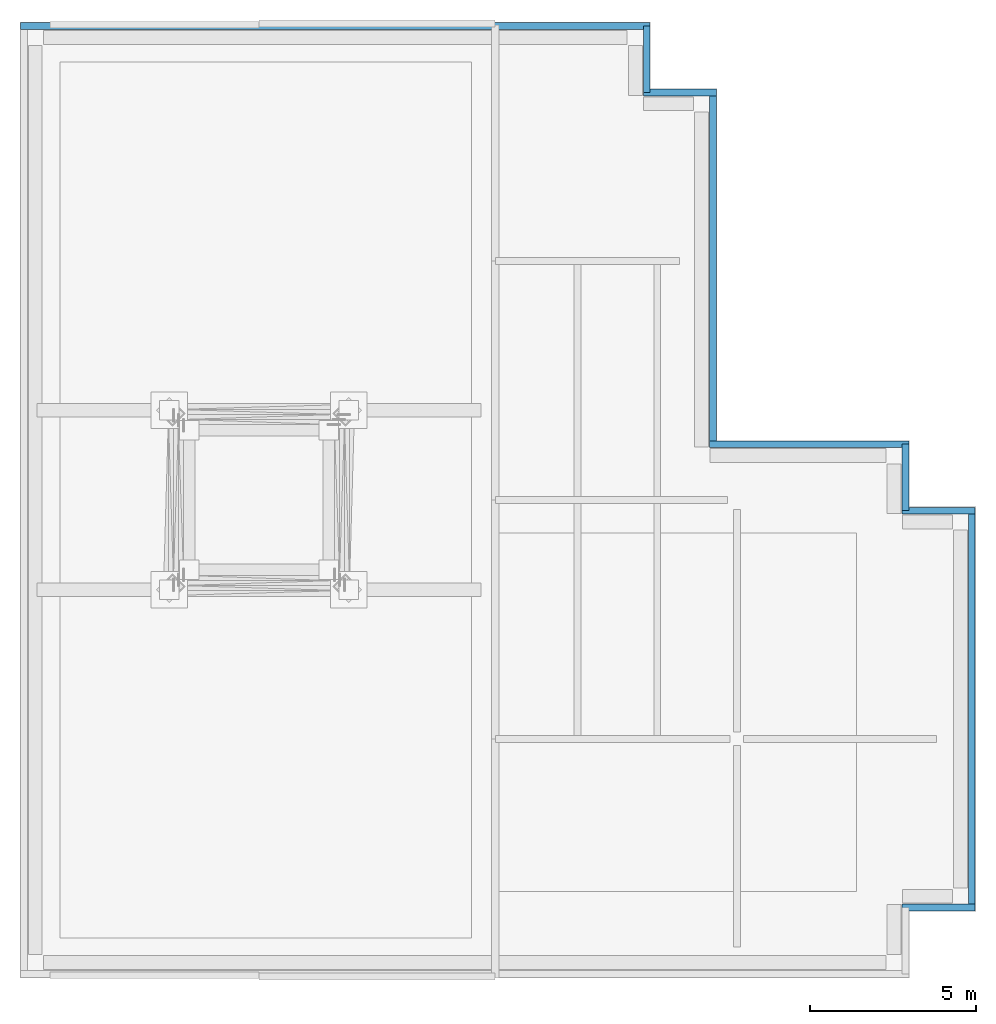
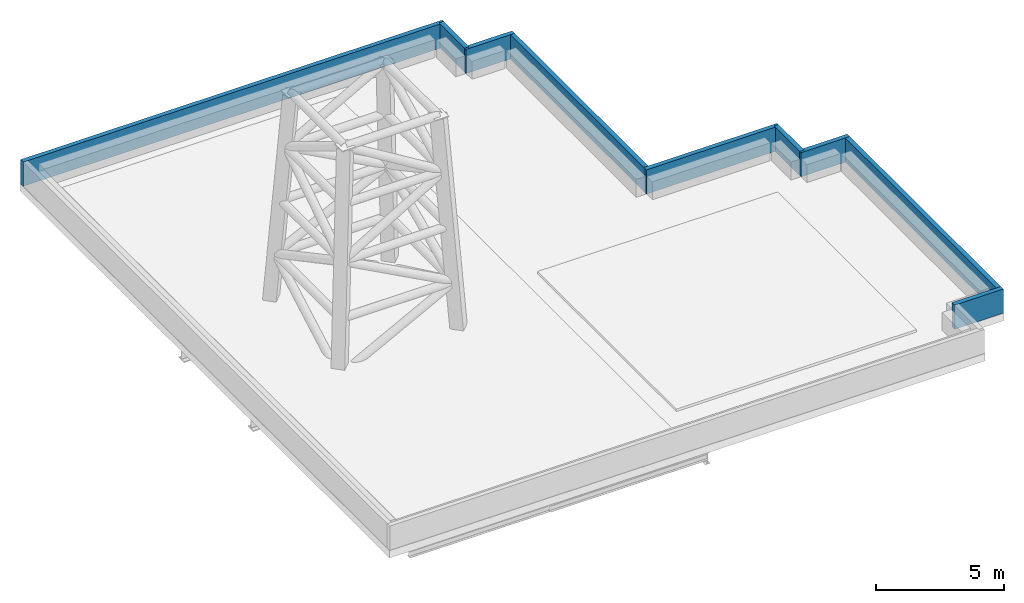
# One storey, part 2 of 3: 9 walls.
"""IFC4 building model written with IfcOpenShell, lengths in metres."""

from ifc_helpers import new_model, si_unit, direction, frame, frame_2d, origin, place, context, subcontext, project, spatial, rectangle, extrude, material, layer, layer_set, type_object, element, save


model = new_model("IFC4")

# Units and contexts
model_context = context("Model", 3, precision=1e-05, world=origin(), true_north=direction((0.0, 1.0)))
body_context = subcontext(model_context, "Body", "Model", "MODEL_VIEW")
ifc_project = project(units=[si_unit("LENGTHUNIT", "METRE"), si_unit("AREAUNIT", "SQUARE_METRE"), si_unit("VOLUMEUNIT", "CUBIC_METRE"), si_unit("PLANEANGLEUNIT", "RADIAN"), si_unit("MASSUNIT", "GRAM", prefix="KILO")], contexts=[model_context])

# Site, building, storey
site_placement = place(None, origin())
site = spatial("IfcSite", under=ifc_project, at=site_placement, CompositionType="ELEMENT")
building_placement = place(site_placement, origin())
building = spatial("IfcBuilding", under=site, at=building_placement, Name="Cobrela Telecom Tower", CompositionType="ELEMENT")
storey_placement = place(building_placement, frame((0.0, 0.0, 305.199951171875)))
storey = spatial("IfcBuildingStorey", under=building, at=storey_placement, Name="RF", CompositionType="ELEMENT", Elevation=305.199951171875)

# Walls
ifc_material = material(Name="Concrete C40/50", Category="concrete")
ifc_layer = layer(ifc_material, 0.199951171875)
ifc_layer_set = layer_set([ifc_layer], Name="Concrete C40/50")
wall_type = type_object("IfcWallType", Name="WALL-PAR-200", PredefinedType="PARAPET", material=ifc_layer_set)
wall_1_placement = place(storey_placement, frame((0.02001953125, 35.8798828125, 0.0), z_axis=(0.0, 0.0, 1.0), x_axis=(1.0, 0.0, 0.0)))
element("IfcWall", 1, at=wall_1_placement, inside=storey, type_object=wall_type, Name="RF Crown Drum Roof Parapet Wall 02", PredefinedType="PARAPET", context=body_context, shape_type="SweptSolid", body=[
    extrude(rectangle(XDim=18.9599609375, YDim=0.199951171875, at=frame_2d((9.47998046875, 0.0))), origin(), (0.0, 0.0, 1.0), 1.150146484375),
])
wall_2_placement = place(storey_placement, frame((18.8798828125, 35.8798828125, 0.0), z_axis=(0.0, 0.0, 1.0), x_axis=(0.0, -1.0, 0.0)))
element("IfcWall", 2, at=wall_2_placement, inside=storey, type_object=wall_type, Name="RF Crown Drum Roof Parapet Wall 03", PredefinedType="PARAPET", context=body_context, shape_type="SweptSolid", body=[
    extrude(rectangle(XDim=2.0, YDim=0.199951171875, at=frame_2d((1.0, 0.0))), origin(), (0.0, 0.0, 1.0), 1.150146484375),
])
wall_3_placement = place(storey_placement, frame((18.780029296875, 33.8798828125, 0.0), z_axis=(0.0, 0.0, 1.0), x_axis=(1.0, 0.0, 0.0)))
element("IfcWall", 3, at=wall_3_placement, inside=storey, type_object=wall_type, Name="RF Crown Drum Roof Parapet Wall 04", PredefinedType="PARAPET", context=body_context, shape_type="SweptSolid", body=[
    extrude(rectangle(XDim=2.199951171875, YDim=0.199951171875, at=frame_2d((1.10009765625, 0.0))), origin(), (0.0, 0.0, 1.0), 1.150146484375),
])
wall_4_placement = place(storey_placement, frame((20.8798828125, 33.8798828125, 0.0), z_axis=(0.0, 0.0, 1.0), x_axis=(0.0, -1.0, 0.0)))
element("IfcWall", 4, at=wall_4_placement, inside=storey, type_object=wall_type, Name="RF Crown Drum Roof Parapet Wall 05", PredefinedType="PARAPET", context=body_context, shape_type="SweptSolid", body=[
    extrude(rectangle(XDim=10.599853515625, YDim=0.199951171875, at=frame_2d((5.2998046875, 0.0))), origin(), (0.0, 0.0, 1.0), 1.150146484375),
])
wall_5_placement = place(storey_placement, frame((20.780029296875, 23.280029296875, 0.0), z_axis=(0.0, 0.0, 1.0), x_axis=(1.0, 0.0, 0.0)))
element("IfcWall", 5, at=wall_5_placement, inside=storey, type_object=wall_type, Name="RF Crown Drum Roof Parapet Wall 06", PredefinedType="PARAPET", context=body_context, shape_type="SweptSolid", body=[
    extrude(rectangle(XDim=6.0, YDim=0.199951171875, at=frame_2d((3.0, 0.0))), origin(), (0.0, 0.0, 1.0), 1.150146484375),
])
wall_6_placement = place(storey_placement, frame((26.679931640625, 23.280029296875, 0.0), z_axis=(0.0, 0.0, 1.0), x_axis=(0.0, -1.0, 0.0)))
element("IfcWall", 6, at=wall_6_placement, inside=storey, type_object=wall_type, Name="RF Crown Drum Roof Parapet Wall 07", PredefinedType="PARAPET", context=body_context, shape_type="SweptSolid", body=[
    extrude(rectangle(XDim=2.0, YDim=0.199951171875, at=frame_2d((1.0, 0.0))), origin(), (0.0, 0.0, 1.0), 1.150146484375),
])
wall_7_placement = place(storey_placement, frame((26.580078125, 21.280029296875, 0.0), z_axis=(0.0, 0.0, 1.0), x_axis=(1.0, 0.0, 0.0)))
element("IfcWall", 7, at=wall_7_placement, inside=storey, type_object=wall_type, Name="RF Crown Drum Roof Parapet Wall 08", PredefinedType="PARAPET", context=body_context, shape_type="SweptSolid", body=[
    extrude(rectangle(XDim=2.199951171875, YDim=0.199951171875, at=frame_2d((1.10009765625, 0.0))), origin(), (0.0, 0.0, 1.0), 1.150146484375),
])
wall_8_placement = place(storey_placement, frame((28.679931640625, 21.280029296875, 0.0), z_axis=(0.0, 0.0, 1.0), x_axis=(0.0, -1.0, 0.0)))
element("IfcWall", 8, at=wall_8_placement, inside=storey, type_object=wall_type, Name="RF Crown Drum Roof Parapet Wall 09", PredefinedType="PARAPET", context=body_context, shape_type="SweptSolid", body=[
    extrude(rectangle(XDim=11.9599609375, YDim=0.199951171875, at=frame_2d((5.97998046875, 0.0))), origin(), (0.0, 0.0, 1.0), 1.150146484375),
])
wall_9_placement = place(storey_placement, frame((28.780029296875, 9.320068359375, 0.0), z_axis=(0.0, 0.0, 1.0), x_axis=(-1.0, 0.0, 0.0)))
element("IfcWall", 9, at=wall_9_placement, inside=storey, type_object=wall_type, Name="RF Crown Drum Roof Parapet Wall 10", PredefinedType="PARAPET", context=body_context, shape_type="SweptSolid", body=[
    extrude(rectangle(XDim=2.199951171875, YDim=0.199951171875, at=frame_2d((1.10009765625, 0.0))), origin(), (0.0, 0.0, 1.0), 1.150146484375),
])

save(model, "model.ifc")
